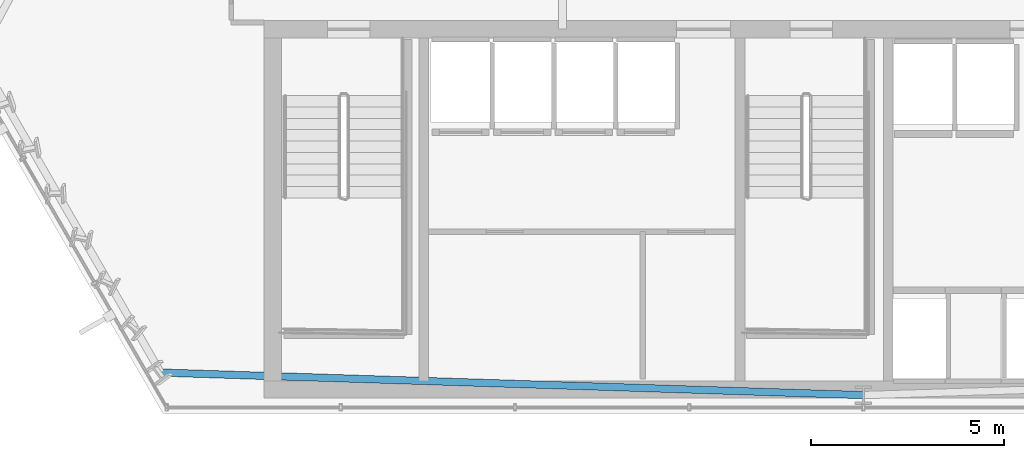
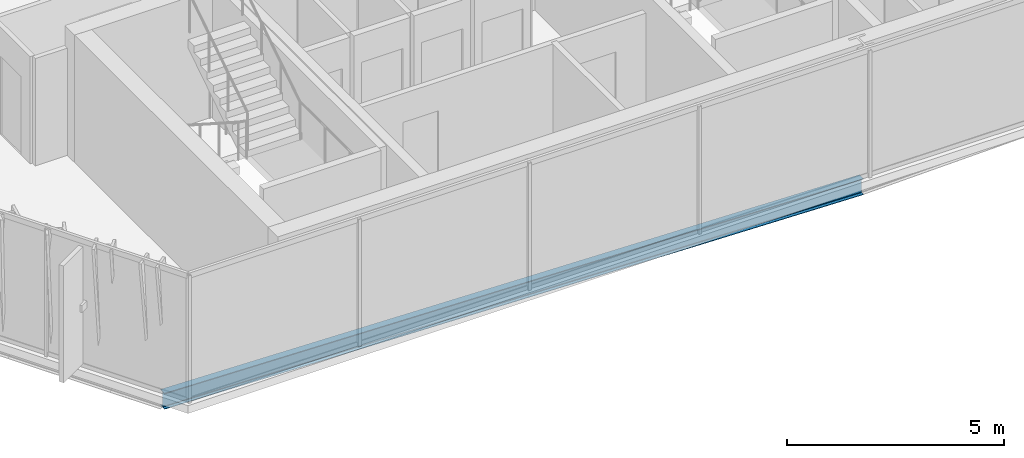
# One storey, part 3 of 32: 1 beam.
"""IFC4 building model written with IfcOpenShell, lengths in metres."""

from ifc_helpers import new_model, si_unit, direction, frame, origin, origin_2d, place, context, subcontext, project, spatial, i_section, extrude, material, material_profile, profile_set, type_object, element, save


model = new_model("IFC4")

# Units and contexts
model_context = context("Model", 3, precision=1e-05, world=origin(), true_north=direction((0.0, 1.0)))
body_context = subcontext(model_context, "Body", "Model", "MODEL_VIEW")
ifc_project = project(units=[si_unit("LENGTHUNIT", "METRE"), si_unit("AREAUNIT", "SQUARE_METRE"), si_unit("VOLUMEUNIT", "CUBIC_METRE"), si_unit("PLANEANGLEUNIT", "RADIAN"), si_unit("MASSUNIT", "GRAM", prefix="KILO")], contexts=[model_context])

# Site, building, storey
site_placement = place(None, origin())
site = spatial("IfcSite", under=ifc_project, at=site_placement, CompositionType="ELEMENT")
building_placement = place(site_placement, origin())
building = spatial("IfcBuilding", under=site, at=building_placement, Name="Ndaravel Arena Tower", CompositionType="ELEMENT")
storey_placement = place(building_placement, frame((0.0, 0.0, 157.39990234375)))
storey = spatial("IfcBuildingStorey", under=building, at=storey_placement, Name="L37", CompositionType="ELEMENT", Elevation=157.39990234375)

# Beam
ifc_material = material(Name="Steel S355", Category="steel")
ifc_material_profile = material_profile(ifc_material, i_section(OverallWidth=0.18994140625, OverallDepth=0.449951171875, WebThickness=0.009521484375, FlangeThickness=0.0146484375, FilletRadius=0.02099609375, at=origin_2d()), Name="IPE 450")
ifc_profile_set = profile_set([ifc_material_profile], Name="Steel S355")
beam_type = type_object("IfcBeamType", Name="BM-SPAN-IPE450", PredefinedType="SPANDREL", material=ifc_profile_set)
beam_placement = place(storey_placement, frame((23.77099609375, 6.065185546875, -0.44482421875), z_axis=(0.999485097772, -0.032086435317, 0.0), x_axis=(0.032086435317, 0.999485097772, 0.0)))
element("IfcBeam", 1, at=beam_placement, inside=storey, type_object=beam_type, Name="L37 Perimeter Spandrel Beam SP-27", PredefinedType="SPANDREL", context=body_context, shape_type="SweptSolid", body=[
    extrude(i_section(OverallWidth=0.18994140625, OverallDepth=0.449951171875, WebThickness=0.009521484375, FlangeThickness=0.0146484375, FilletRadius=0.02099609375, at=origin_2d()), origin(), (0.0, 0.0, 1.0), 18.23828125),
])

save(model, "model.ifc")
